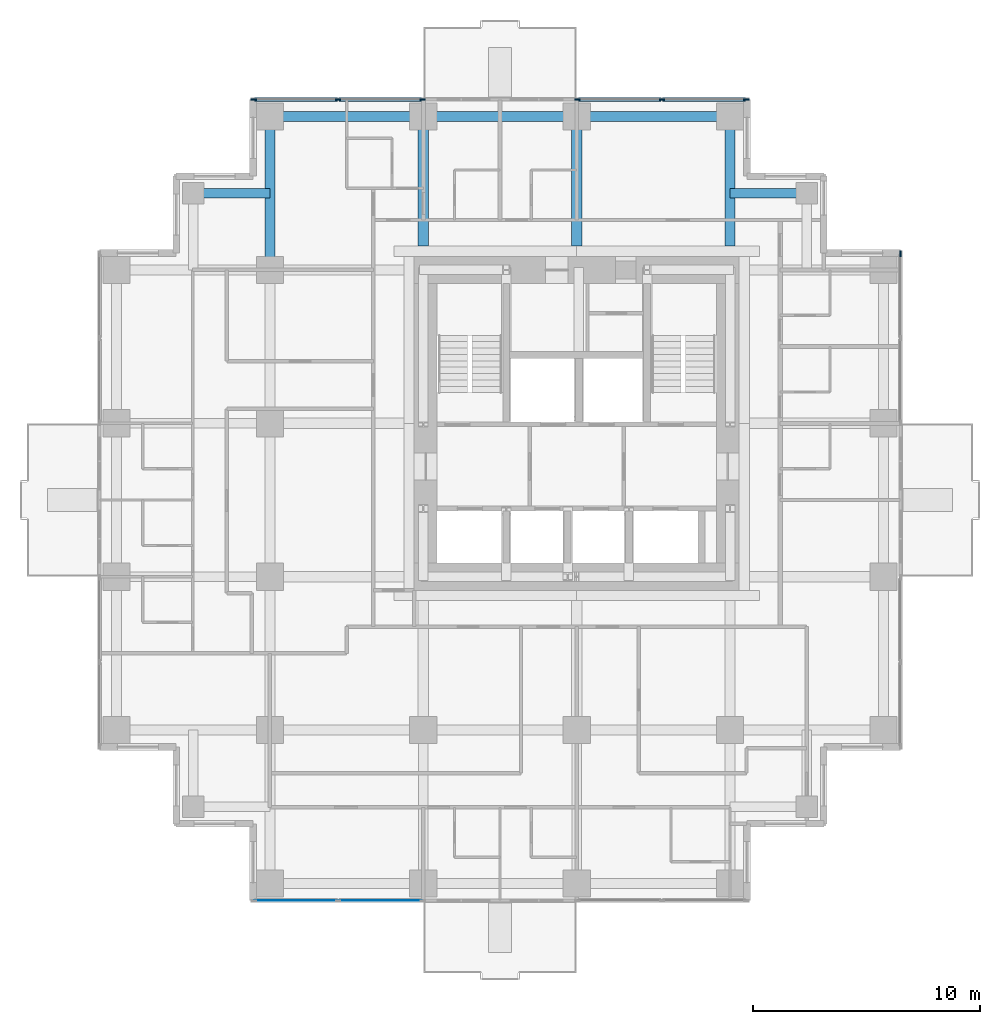
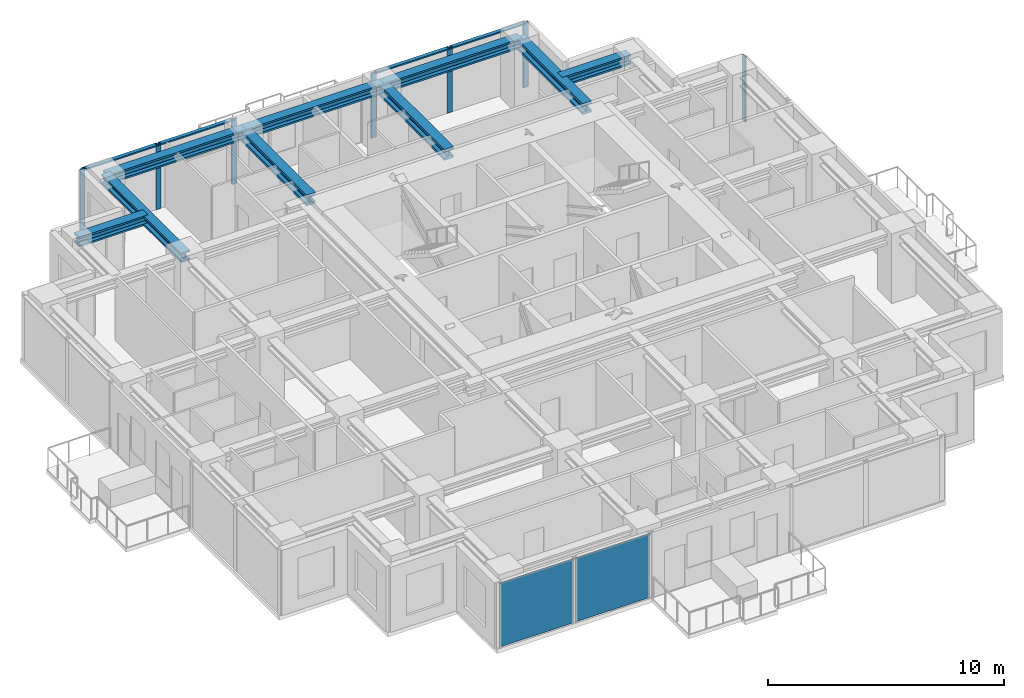
# One storey, part 3 of 10: 11 members, 9 beams, 2 plates, 4 elements without a shape of their own.
"""IFC4 building model written with IfcOpenShell, lengths in metres."""

from ifc_helpers import new_model, si_unit, direction, frame, origin, origin_2d, place, context, subcontext, project, spatial, rectangle, i_section, extrude, material, layer, layer_set, material_profile, profile_set, type_object, element, aggregate, save


model = new_model("IFC4")

# Units and contexts
model_context = context("Model", 3, precision=1e-05, world=origin(), true_north=direction((0.0, 1.0)))
body_context = subcontext(model_context, "Body", "Model", "MODEL_VIEW")
ifc_project = project(units=[si_unit("LENGTHUNIT", "METRE"), si_unit("AREAUNIT", "SQUARE_METRE"), si_unit("VOLUMEUNIT", "CUBIC_METRE"), si_unit("PLANEANGLEUNIT", "RADIAN"), si_unit("MASSUNIT", "GRAM", prefix="KILO")], contexts=[model_context])

# Site, building, storey
site_placement = place(None, origin())
site = spatial("IfcSite", under=ifc_project, at=site_placement, CompositionType="ELEMENT")
building_placement = place(site_placement, origin())
building = spatial("IfcBuilding", under=site, at=building_placement, Name="Nyansa Garden Tower", CompositionType="ELEMENT")
storey_placement = place(building_placement, frame((0.0, 0.0, 192.60009765625)))
storey = spatial("IfcBuildingStorey", under=building, at=storey_placement, Name="L52", CompositionType="ELEMENT", Elevation=192.60009765625)

# Curtain wall, member
ifc_material_1 = material(Name="Black anodised aluminium, dark tinted double glazing", Category="aluminium")
curtain_wall_type = type_object("IfcCurtainWallType", Name="Inner skin curtain wall ISW-C", PredefinedType="USERDEFINED", material=ifc_material_1)
curtain_wall_1_placement = place(storey_placement, origin())
curtain_wall_1 = element("IfcCurtainWall", 1, at=curtain_wall_1_placement, inside=storey, type_object=curtain_wall_type, Name="Inner skin curtain wall L52 E", ObjectType="UNITISED CURTAIN WALL", PredefinedType="USERDEFINED")
ifc_material_2 = material(Name="Black anodised aluminium", Category="aluminium")
ifc_material_profile_1 = material_profile(ifc_material_2, rectangle(XDim=0.070068359375, YDim=0.25, at=origin_2d()), Name="Mullion 250x70")
ifc_profile_set_1 = profile_set([ifc_material_profile_1], Name="Black anodised aluminium")
member_type_1 = type_object("IfcMemberType", Name="Mullion ISW-C 250x70", PredefinedType="MULLION", material=ifc_profile_set_1)
member_1_placement = place(storey_placement, frame((34.5, 27.715087890625, 0.0), z_axis=(0.0, 0.0, 1.0), x_axis=(-1.0, 0.0, 0.0)))
member_1 = element("IfcMember", 2, at=member_1_placement, type_object=member_type_1, Name="ISW-C mullion 3", PredefinedType="MULLION", context=body_context, shape_type="SweptSolid", body=[
    extrude(rectangle(XDim=0.070068359375, YDim=0.25, at=origin_2d()), origin(), (0.0, 0.0, 1.0), 3.375),
])
aggregate(curtain_wall_1, [member_1])

# Curtain wall, members
curtain_wall_2_placement = place(storey_placement, origin())
curtain_wall_2 = element("IfcCurtainWall", 3, at=curtain_wall_2_placement, inside=storey, type_object=curtain_wall_type, Name="Inner skin curtain wall L52 N", ObjectType="UNITISED CURTAIN WALL", PredefinedType="USERDEFINED")
member_2_placement = place(storey_placement, frame((13.465087890625, 34.5, 0.0), z_axis=(0.0, 0.0, 1.0), x_axis=(0.0, -1.0, 0.0)))
member_2 = element("IfcMember", 4, at=member_2_placement, type_object=member_type_1, Name="ISW-C mullion 1", PredefinedType="MULLION", context=body_context, shape_type="SweptSolid", body=[
    extrude(rectangle(XDim=0.070068359375, YDim=0.25, at=origin_2d()), origin(), (0.0, 0.0, 1.0), 3.375),
])
member_3_placement = place(storey_placement, frame((9.75, 34.5, 0.0), z_axis=(0.0, 0.0, 1.0), x_axis=(0.0, -1.0, 0.0)))
member_3 = element("IfcMember", 5, at=member_3_placement, type_object=member_type_1, Name="ISW-C mullion 2", PredefinedType="MULLION", context=body_context, shape_type="SweptSolid", body=[
    extrude(rectangle(XDim=0.070068359375, YDim=0.25, at=origin_2d()), origin(), (0.0, 0.0, 1.0), 3.375),
])
member_4_placement = place(storey_placement, frame((6.034912109375, 34.5, 0.0), z_axis=(0.0, 0.0, 1.0), x_axis=(0.0, -1.0, 0.0)))
member_4 = element("IfcMember", 6, at=member_4_placement, type_object=member_type_1, Name="ISW-C mullion 3", PredefinedType="MULLION", context=body_context, shape_type="SweptSolid", body=[
    extrude(rectangle(XDim=0.070068359375, YDim=0.25, at=origin_2d()), origin(), (0.0, 0.0, 1.0), 3.375),
])

curtain_wall_3_placement = place(storey_placement, origin())
curtain_wall_3 = element("IfcCurtainWall", 7, at=curtain_wall_3_placement, inside=storey, type_object=curtain_wall_type, Name="Inner skin curtain wall L52 N", ObjectType="UNITISED CURTAIN WALL", PredefinedType="USERDEFINED")
member_5_placement = place(storey_placement, frame((27.715087890625, 34.5, 0.0), z_axis=(0.0, 0.0, 1.0), x_axis=(0.0, -1.0, 0.0)))
member_5 = element("IfcMember", 8, at=member_5_placement, type_object=member_type_1, Name="ISW-C mullion 1", PredefinedType="MULLION", context=body_context, shape_type="SweptSolid", body=[
    extrude(rectangle(XDim=0.070068359375, YDim=0.25, at=origin_2d()), origin(), (0.0, 0.0, 1.0), 3.375),
])
member_6_placement = place(storey_placement, frame((24.0, 34.5, 0.0), z_axis=(0.0, 0.0, 1.0), x_axis=(0.0, -1.0, 0.0)))
member_6 = element("IfcMember", 9, at=member_6_placement, type_object=member_type_1, Name="ISW-C mullion 2", PredefinedType="MULLION", context=body_context, shape_type="SweptSolid", body=[
    extrude(rectangle(XDim=0.070068359375, YDim=0.25, at=origin_2d()), origin(), (0.0, 0.0, 1.0), 3.375),
])
member_7_placement = place(storey_placement, frame((20.284912109375, 34.5, 0.0), z_axis=(0.0, 0.0, 1.0), x_axis=(0.0, -1.0, 0.0)))
member_7 = element("IfcMember", 10, at=member_7_placement, type_object=member_type_1, Name="ISW-C mullion 3", PredefinedType="MULLION", context=body_context, shape_type="SweptSolid", body=[
    extrude(rectangle(XDim=0.070068359375, YDim=0.25, at=origin_2d()), origin(), (0.0, 0.0, 1.0), 3.375),
])

# Beams
ifc_material_3 = material(Name="Steel S355", Category="steel")
ifc_material_profile_2 = material_profile(ifc_material_3, i_section(OverallWidth=0.431884765625, OverallDepth=0.498046875, WebThickness=0.0556640625, FlangeThickness=0.0888671875, FilletRadius=0.014892578125, at=origin_2d()), Name="HD 400x744")
ifc_profile_set_2 = profile_set([ifc_material_profile_2], Name="Steel S355")
beam_type_1 = type_object("IfcBeamType", Name="Steel beam SBC2-744 HD 400x744", PredefinedType="BEAM", material=ifc_profile_set_2)
beam_placement = place(storey_placement, frame((6.75, 27.0, 3.1259765625), z_axis=(0.0, 1.0, 0.0), x_axis=(-1.0, 0.0, 0.0)))
element("IfcBeam", 11, at=beam_placement, inside=storey, type_object=beam_type_1, Name="Steel beam 3/H-3/J L53", PredefinedType="BEAM", context=body_context, shape_type="SweptSolid", body=[
    extrude(i_section(OverallWidth=0.431884765625, OverallDepth=0.498046875, WebThickness=0.0556640625, FlangeThickness=0.0888671875, FilletRadius=0.014892578125, at=origin_2d()), origin(), (0.0, 0.0, 1.0), 6.75),
])
ifc_material_4 = material(Name="Steel S355", Category="steel")
ifc_material_profile_3 = material_profile(ifc_material_4, i_section(OverallWidth=0.4541015625, OverallDepth=0.569091796875, WebThickness=0.077880859375, FlangeThickness=0.125, FilletRadius=0.014892578125, at=origin_2d()), Name="HD 400x1086")
ifc_profile_set_3 = profile_set([ifc_material_profile_3], Name="Steel S355")
beam_type_2 = type_object("IfcBeamType", Name="Steel beam SCL-1086 HD 400x1086", PredefinedType="BEAM", material=ifc_profile_set_3)
for number, where, z_axis, x_axis, name in (
    (12, (13.5, 28.050048828125, 3.09033203125), (0.0, 1.0, 0.0), (-1.0, 0.0, 0.0), "Steel beam 4/28.050-4/J L53"),
    (13, (20.25, 28.050048828125, 3.09033203125), (0.0, 1.0, 0.0), (-1.0, 0.0, 0.0), "Steel beam 5/28.050-5/J L53"),
    (14, (27.0, 28.050048828125, 3.09033203125), (0.0, 1.0, 0.0), (-1.0, 0.0, 0.0), "Steel beam 6/28.050-6/J L53"),
):
    element("IfcBeam", number, at=place(storey_placement, frame(where, z_axis=z_axis, x_axis=x_axis)), inside=storey, type_object=beam_type_2, Name=name, PredefinedType="BEAM", context=body_context, shape_type="SweptSolid", body=[
        extrude(i_section(OverallWidth=0.4541015625, OverallDepth=0.569091796875, WebThickness=0.077880859375, FlangeThickness=0.125, FilletRadius=0.014892578125, at=origin_2d()), origin(), (0.0, 0.0, 1.0), 5.699951171875),
    ])
ifc_material_5 = material(Name="Steel S355", Category="steel")
ifc_material_profile_4 = material_profile(ifc_material_5, i_section(OverallWidth=0.431884765625, OverallDepth=0.498046875, WebThickness=0.0556640625, FlangeThickness=0.0888671875, FilletRadius=0.014892578125, at=origin_2d()), Name="HD 400x744")
ifc_profile_set_4 = profile_set([ifc_material_profile_4], Name="Steel S355")
beam_type_3 = type_object("IfcBeamType", Name="Steel beam SEBC-744 HD 400x744", PredefinedType="BEAM", material=ifc_profile_set_4)
for number, where, z_axis, x_axis, name in (
    (15, (6.75, 33.75, 3.1259765625), (1.0, 0.0, 0.0), (0.0, 1.0, 0.0), "Steel edge beam 3/J-4/J L53"),
    (16, (13.5, 33.75, 3.1259765625), (1.0, 0.0, 0.0), (0.0, 1.0, 0.0), "Steel edge beam 4/J-5/J L53"),
    (17, (20.25, 33.75, 3.1259765625), (1.0, 0.0, 0.0), (0.0, 1.0, 0.0), "Steel edge beam 5/J-6/J L53"),
):
    element("IfcBeam", number, at=place(storey_placement, frame(where, z_axis=z_axis, x_axis=x_axis)), inside=storey, type_object=beam_type_3, Name=name, PredefinedType="BEAM", context=body_context, shape_type="SweptSolid", body=[
        extrude(i_section(OverallWidth=0.431884765625, OverallDepth=0.498046875, WebThickness=0.0556640625, FlangeThickness=0.0888671875, FilletRadius=0.014892578125, at=origin_2d()), origin(), (0.0, 0.0, 1.0), 6.75),
    ])
ifc_material_6 = material(Name="Steel S355", Category="steel")
ifc_material_profile_5 = material_profile(ifc_material_6, i_section(OverallWidth=0.431884765625, OverallDepth=0.498046875, WebThickness=0.0556640625, FlangeThickness=0.0888671875, FilletRadius=0.014892578125, at=origin_2d()), Name="HD 400x744")
ifc_profile_set_5 = profile_set([ifc_material_profile_5], Name="Steel S355")
beam_type_4 = type_object("IfcBeamType", Name="Steel beam SSB1-744 HD 400x744", PredefinedType="BEAM", material=ifc_profile_set_5)
for number, where, z_axis, x_axis, name in (
    (18, (30.375, 30.375, 3.1259765625), (-1.0, 0.0, 0.0), (0.0, -1.0, 0.0), "Steel step beam 30.375/30.375 L53"),
    (19, (3.375, 30.375, 3.1259765625), (1.0, 0.0, 0.0), (0.0, 1.0, 0.0), "Steel step beam 3.375/30.375 L53"),
):
    element("IfcBeam", number, at=place(storey_placement, frame(where, z_axis=z_axis, x_axis=x_axis)), inside=storey, type_object=beam_type_4, Name=name, PredefinedType="BEAM", context=body_context, shape_type="SweptSolid", body=[
        extrude(i_section(OverallWidth=0.431884765625, OverallDepth=0.498046875, WebThickness=0.0556640625, FlangeThickness=0.0888671875, FilletRadius=0.014892578125, at=origin_2d()), origin(), (0.0, 0.0, 1.0), 3.375),
    ])

# Member
ifc_material_7 = material(Name="Black anodised aluminium", Category="aluminium")
ifc_material_profile_6 = material_profile(ifc_material_7, rectangle(XDim=0.179931640625, YDim=0.070068359375, at=origin_2d()), Name="Transom 180x70")
ifc_profile_set_6 = profile_set([ifc_material_profile_6], Name="Black anodised aluminium")
member_type_2 = type_object("IfcMemberType", Name="Transom ISW-C 180x70", PredefinedType="USERDEFINED", material=ifc_profile_set_6)
member_8_placement = place(storey_placement, frame((13.429931640625, 34.5, 3.33984375), z_axis=(-1.0, 0.0, 0.0), x_axis=(0.0, -1.0, 0.0)))
member_8 = element("IfcMember", 20, at=member_8_placement, type_object=member_type_2, Name="ISW-C transom 1", ObjectType="TRANSOM", PredefinedType="USERDEFINED", context=body_context, shape_type="SweptSolid", body=[
    extrude(rectangle(XDim=0.179931640625, YDim=0.070068359375, at=origin_2d()), origin(), (0.0, 0.0, 1.0), 3.64501953125),
])

member_9_placement = place(storey_placement, frame((9.715087890625, 34.5, 3.33984375), z_axis=(-1.0, 0.0, 0.0), x_axis=(0.0, -1.0, 0.0)))
member_9 = element("IfcMember", 21, at=member_9_placement, type_object=member_type_2, Name="ISW-C transom 2", ObjectType="TRANSOM", PredefinedType="USERDEFINED", context=body_context, shape_type="SweptSolid", body=[
    extrude(rectangle(XDim=0.179931640625, YDim=0.070068359375, at=origin_2d()), origin(), (0.0, 0.0, 1.0), 3.64501953125),
])

aggregate(curtain_wall_2, [member_2, member_3, member_4, member_8, member_9])

member_10_placement = place(storey_placement, frame((27.679931640625, 34.5, 3.33984375), z_axis=(-1.0, 0.0, 0.0), x_axis=(0.0, -1.0, 0.0)))
member_10 = element("IfcMember", 22, at=member_10_placement, type_object=member_type_2, Name="ISW-C transom 1", ObjectType="TRANSOM", PredefinedType="USERDEFINED", context=body_context, shape_type="SweptSolid", body=[
    extrude(rectangle(XDim=0.179931640625, YDim=0.070068359375, at=origin_2d()), origin(), (0.0, 0.0, 1.0), 3.64501953125),
])

member_11_placement = place(storey_placement, frame((23.965087890625, 34.5, 3.33984375), z_axis=(-1.0, 0.0, 0.0), x_axis=(0.0, -1.0, 0.0)))
member_11 = element("IfcMember", 23, at=member_11_placement, type_object=member_type_2, Name="ISW-C transom 2", ObjectType="TRANSOM", PredefinedType="USERDEFINED", context=body_context, shape_type="SweptSolid", body=[
    extrude(rectangle(XDim=0.179931640625, YDim=0.070068359375, at=origin_2d()), origin(), (0.0, 0.0, 1.0), 3.64501953125),
])

aggregate(curtain_wall_3, [member_5, member_6, member_7, member_10, member_11])

# Curtain wall, plates
curtain_wall_4_placement = place(storey_placement, origin())
curtain_wall_4 = element("IfcCurtainWall", 24, at=curtain_wall_4_placement, inside=storey, type_object=curtain_wall_type, Name="Inner skin curtain wall L52 S", ObjectType="UNITISED CURTAIN WALL", PredefinedType="USERDEFINED")
ifc_material_8 = material(Name="Dark tinted laminated double glazing", Category="glass")
ifc_layer = layer(ifc_material_8, 0.0400390625)
ifc_layer_set = layer_set([ifc_layer], Name="Dark tinted vision panel VP-C")
plate_type = type_object("IfcPlateType", Name="Dark tinted vision panel VP-C", PredefinedType="CURTAIN_PANEL", material=ifc_layer_set)
plate_1_placement = place(storey_placement, frame((7.892578125, -0.75, 0.0), z_axis=(0.0, 0.0, 1.0), x_axis=(1.0, 0.0, 0.0)))
plate_1 = element("IfcPlate", 25, at=plate_1_placement, type_object=plate_type, Name="ISW-C panel 1", PredefinedType="CURTAIN_PANEL", context=body_context, shape_type="SweptSolid", body=[
    extrude(rectangle(XDim=3.64501953125, YDim=0.0400390625, at=origin_2d()), origin(), (0.0, 0.0, 1.0), 3.304931640625),
])
plate_2_placement = place(storey_placement, frame((11.607421875, -0.75, 0.0), z_axis=(0.0, 0.0, 1.0), x_axis=(1.0, 0.0, 0.0)))
plate_2 = element("IfcPlate", 26, at=plate_2_placement, type_object=plate_type, Name="ISW-C panel 2", PredefinedType="CURTAIN_PANEL", context=body_context, shape_type="SweptSolid", body=[
    extrude(rectangle(XDim=3.64501953125, YDim=0.0400390625, at=origin_2d()), origin(), (0.0, 0.0, 1.0), 3.304931640625),
])
aggregate(curtain_wall_4, [plate_1, plate_2])

save(model, "model.ifc")
